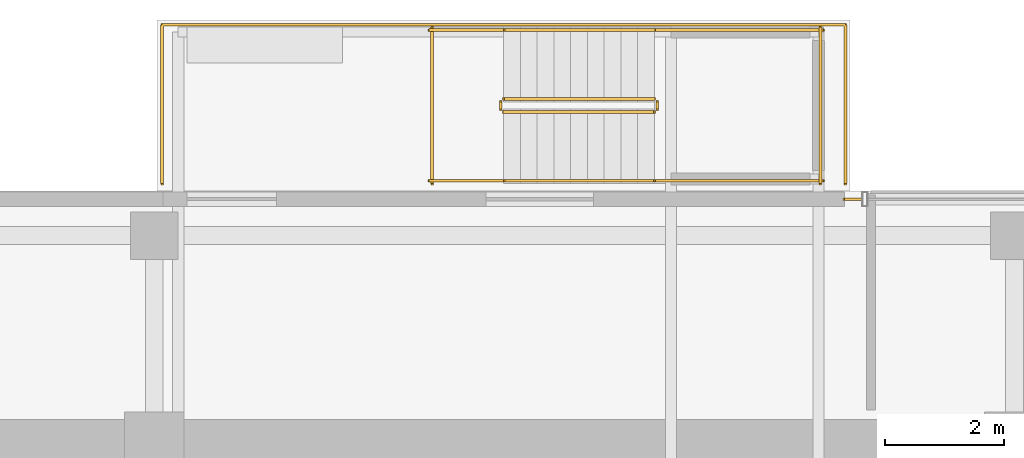
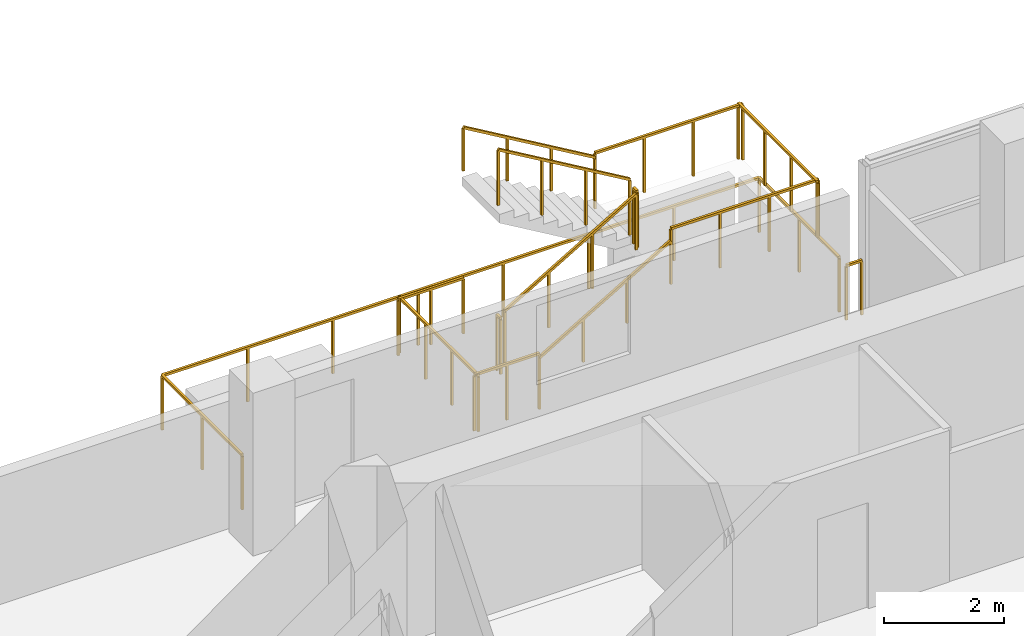
# One storey, part 26 of 27: 14 railings.
"""IFC4 building model written with IfcOpenShell, lengths in metres."""

from ifc_helpers import new_model, si_unit, direction, frame, origin, origin_2d, place, context, subcontext, project, spatial, rectangle, extrude, material, type_object, element, save


model = new_model("IFC4")

# Units and contexts
model_context = context("Model", 3, precision=1e-05, world=origin(), true_north=direction((0.0, 1.0)))
body_context = subcontext(model_context, "Body", "Model", "MODEL_VIEW")
ifc_project = project(units=[si_unit("LENGTHUNIT", "METRE"), si_unit("AREAUNIT", "SQUARE_METRE"), si_unit("VOLUMEUNIT", "CUBIC_METRE"), si_unit("PLANEANGLEUNIT", "RADIAN"), si_unit("MASSUNIT", "GRAM", prefix="KILO")], contexts=[model_context])

# Site, building, storey
site_placement = place(None, origin())
site = spatial("IfcSite", under=ifc_project, at=site_placement, CompositionType="ELEMENT")
building_placement = place(site_placement, origin())
building = spatial("IfcBuilding", under=site, at=building_placement, Name="Zarnakvel Exchange Tower", CompositionType="ELEMENT")
storey_placement = place(building_placement, frame((0.0, 0.0, 113.199951171875)))
storey = spatial("IfcBuildingStorey", under=building, at=storey_placement, Name="L31", CompositionType="ELEMENT", Elevation=113.199951171875)

# Railings
ifc_material_1 = material(Name="Architectural Bronze Anodised Aluminium", Category="aluminium")
railing_type_1 = type_object("IfcRailingType", Name="GR-02", PredefinedType="GUARDRAIL", material=ifc_material_1)
railing_1_placement = place(storey_placement, frame((-7.070068359375, 17.820068359375, 0.0)))
element("IfcRailing", 1, at=railing_1_placement, inside=storey, type_object=railing_type_1, Name="L31 Spiral Sky-Terrace Perimeter Guardrail", PredefinedType="GUARDRAIL", context=body_context, shape_type="SweptSolid", body=[
    extrude(rectangle(XDim=0.048095703125, YDim=0.048095703125, at=origin_2d()), frame((0.0, 0.0, 1.09619140625), z_axis=(0.0, 1.0, 0.0), x_axis=(-1.0, 0.0, 0.0)), (0.0, 0.0, 1.0), 2.659912109375),
    extrude(rectangle(XDim=0.048095703125, YDim=0.048095703125, at=origin_2d()), frame((0.0, 2.659912109375, 1.09619140625), z_axis=(1.0, 0.0, 0.0), x_axis=(0.0, 1.0, 0.0)), (0.0, 0.0, 1.0), 11.440185546875),
    extrude(rectangle(XDim=0.048095703125, YDim=0.048095703125, at=origin_2d()), frame((11.440185546875, 2.659912109375, 1.09619140625), z_axis=(0.0, -1.0, 0.0), x_axis=(1.0, 0.0, 0.0)), (0.0, 0.0, 1.0), 2.659912109375),
    extrude(rectangle(XDim=0.0419921875, YDim=0.0419921875, at=origin_2d()), origin(), (0.0, 0.0, 1.0), 1.072021484375),
    extrude(rectangle(XDim=0.0419921875, YDim=0.0419921875, at=origin_2d()), frame((0.0, 1.330078125, 0.0)), (0.0, 0.0, 1.0), 1.072021484375),
    extrude(rectangle(XDim=0.0419921875, YDim=0.0419921875, at=origin_2d()), frame((0.0, 2.659912109375, 0.0)), (0.0, 0.0, 1.0), 1.072021484375),
    extrude(rectangle(XDim=0.0419921875, YDim=0.0419921875, at=origin_2d()), frame((1.63427734375, 2.659912109375, 0.0)), (0.0, 0.0, 1.0), 1.072021484375),
    extrude(rectangle(XDim=0.0419921875, YDim=0.0419921875, at=origin_2d()), frame((3.2685546875, 2.659912109375, 0.0)), (0.0, 0.0, 1.0), 1.072021484375),
    extrude(rectangle(XDim=0.0419921875, YDim=0.0419921875, at=origin_2d()), frame((4.90283203125, 2.659912109375, 0.0)), (0.0, 0.0, 1.0), 1.072021484375),
    extrude(rectangle(XDim=0.0419921875, YDim=0.0419921875, at=origin_2d()), frame((6.537353515625, 2.659912109375, 0.0)), (0.0, 0.0, 1.0), 1.072021484375),
    extrude(rectangle(XDim=0.0419921875, YDim=0.0419921875, at=origin_2d()), frame((8.171630859375, 2.659912109375, 0.0)), (0.0, 0.0, 1.0), 1.072021484375),
    extrude(rectangle(XDim=0.0419921875, YDim=0.0419921875, at=origin_2d()), frame((9.805908203125, 2.659912109375, 0.0)), (0.0, 0.0, 1.0), 1.072021484375),
    extrude(rectangle(XDim=0.0419921875, YDim=0.0419921875, at=origin_2d()), frame((11.440185546875, 2.659912109375, 0.0)), (0.0, 0.0, 1.0), 1.072021484375),
    extrude(rectangle(XDim=0.0419921875, YDim=0.0419921875, at=origin_2d()), frame((11.440185546875, 1.330078125, 0.0)), (0.0, 0.0, 1.0), 1.072021484375),
    extrude(rectangle(XDim=0.0419921875, YDim=0.0419921875, at=origin_2d()), frame((11.440185546875, 0.0, 0.0)), (0.0, 0.0, 1.0), 1.072021484375),
])
railing_2_placement = place(storey_placement, frame((4.35009765625, 17.56005859375, 0.0)))
element("IfcRailing", 2, at=railing_2_placement, inside=storey, type_object=railing_type_1, Name="L31 Corner Spandrel Balustrade #6", PredefinedType="GUARDRAIL", context=body_context, shape_type="SweptSolid", body=[
    extrude(rectangle(XDim=0.048095703125, YDim=0.048095703125, at=origin_2d()), frame((0.0, 0.0, 1.09619140625), z_axis=(1.0, 0.0, 0.0), x_axis=(0.0, 1.0, 0.0)), (0.0, 0.0, 1.0), 0.2998046875),
    extrude(rectangle(XDim=0.0419921875, YDim=0.0419921875, at=origin_2d()), origin(), (0.0, 0.0, 1.0), 1.072021484375),
    extrude(rectangle(XDim=0.0419921875, YDim=0.0419921875, at=origin_2d()), frame((0.2998046875, 0.0, 0.0)), (0.0, 0.0, 1.0), 1.072021484375),
])
ifc_material_2 = material(Name="Brushed Stainless Steel", Category="steel")
railing_type_2 = type_object("IfcRailingType", Name="HR-01", PredefinedType="HANDRAIL", material=ifc_material_2)
railing_3_placement = place(storey_placement, frame((-1.35009765625, 17.8701171875, 0.1650390625)))
element("IfcRailing", 3, at=railing_3_placement, inside=storey, type_object=railing_type_2, Name="L31 ST-10 stair handrail 1", PredefinedType="HANDRAIL", context=body_context, shape_type="SweptSolid", body=[
    extrude(rectangle(XDim=0.048095703125, YDim=0.048095703125, at=origin_2d()), frame((0.0, 0.0, 0.8759765625), z_axis=(0.86152411907, 0.0, 0.507716645641), x_axis=(0.0, 1.0, 0.0)), (0.0, 0.0, 1.0), 2.925048828125),
    extrude(rectangle(XDim=0.0419921875, YDim=0.0419921875, at=origin_2d()), origin(), (0.0, 0.0, 1.0), 0.851806640625),
    extrude(rectangle(XDim=0.0419921875, YDim=0.0419921875, at=origin_2d()), frame((0.840087890625, 0.0, 0.4951171875)), (0.0, 0.0, 1.0), 0.851806640625),
    extrude(rectangle(XDim=0.0419921875, YDim=0.0419921875, at=origin_2d()), frame((1.679931640625, 0.0, 0.989990234375)), (0.0, 0.0, 1.0), 0.851806640625),
    extrude(rectangle(XDim=0.0419921875, YDim=0.0419921875, at=origin_2d()), frame((2.52001953125, 0.0, 1.485107421875)), (0.0, 0.0, 1.0), 0.851806640625),
])
railing_4_placement = place(storey_placement, frame((1.169921875, 20.389892578125, 1.81494140625)))
element("IfcRailing", 4, at=railing_4_placement, inside=storey, type_object=railing_type_2, Name="L31 ST-10 stair handrail 2", PredefinedType="HANDRAIL", context=body_context, shape_type="SweptSolid", body=[
    extrude(rectangle(XDim=0.048095703125, YDim=0.048095703125, at=origin_2d()), frame((0.0, 0.0, 0.8759765625), z_axis=(-0.86152411907, 0.0, 0.507716645641), x_axis=(0.0, -1.0, 0.0)), (0.0, 0.0, 1.0), 2.925048828125),
    extrude(rectangle(XDim=0.0419921875, YDim=0.0419921875, at=origin_2d()), origin(), (0.0, 0.0, 1.0), 0.851806640625),
    extrude(rectangle(XDim=0.0419921875, YDim=0.0419921875, at=origin_2d()), frame((-0.840087890625, 0.0, 0.4951171875)), (0.0, 0.0, 1.0), 0.851806640625),
    extrude(rectangle(XDim=0.0419921875, YDim=0.0419921875, at=origin_2d()), frame((-1.679931640625, 0.0, 0.989990234375)), (0.0, 0.0, 1.0), 0.851806640625),
    extrude(rectangle(XDim=0.0419921875, YDim=0.0419921875, at=origin_2d()), frame((-2.52001953125, 0.0, 1.485107421875)), (0.0, 0.0, 1.0), 0.851806640625),
])
railing_type_3 = type_object("IfcRailingType", Name="SG-01", PredefinedType="GUARDRAIL", material=ifc_material_1)
railing_5_placement = place(storey_placement, frame((-1.35009765625, 19.02001953125, 0.1650390625)))
element("IfcRailing", 5, at=railing_5_placement, inside=storey, type_object=railing_type_3, Name="L31 ST-10 stair guard 1", PredefinedType="GUARDRAIL", context=body_context, shape_type="SweptSolid", body=[
    extrude(rectangle(XDim=0.048095703125, YDim=0.048095703125, at=origin_2d()), frame((0.0, 0.0, 1.1259765625), z_axis=(0.86152411907, 0.0, 0.507716645641), x_axis=(0.0, 1.0, 0.0)), (0.0, 0.0, 1.0), 2.925048828125),
    extrude(rectangle(XDim=0.0419921875, YDim=0.0419921875, at=origin_2d()), origin(), (0.0, 0.0, 1.0), 1.101806640625),
    extrude(rectangle(XDim=0.0419921875, YDim=0.0419921875, at=origin_2d()), frame((0.840087890625, 0.0, 0.4951171875)), (0.0, 0.0, 1.0), 1.101806640625),
    extrude(rectangle(XDim=0.0419921875, YDim=0.0419921875, at=origin_2d()), frame((1.679931640625, 0.0, 0.989990234375)), (0.0, 0.0, 1.0), 1.101806640625),
    extrude(rectangle(XDim=0.0419921875, YDim=0.0419921875, at=origin_2d()), frame((2.52001953125, 0.0, 1.485107421875)), (0.0, 0.0, 1.0), 1.101806640625),
])
railing_6_placement = place(storey_placement, frame((1.219970703125, 19.070068359375, 1.650146484375)))
element("IfcRailing", 6, at=railing_6_placement, inside=storey, type_object=railing_type_3, Name="L31 ST-10 stair guard 2", PredefinedType="GUARDRAIL", context=body_context, shape_type="SweptSolid", body=[
    extrude(rectangle(XDim=0.048095703125, YDim=0.048095703125, at=origin_2d()), frame((0.0, 0.0, 1.1259765625), z_axis=(0.0, 1.0, 0.0), x_axis=(-1.0, 0.0, 0.0)), (0.0, 0.0, 1.0), 0.119873046875),
    extrude(rectangle(XDim=0.0419921875, YDim=0.0419921875, at=origin_2d()), origin(), (0.0, 0.0, 1.0), 1.101806640625),
    extrude(rectangle(XDim=0.0419921875, YDim=0.0419921875, at=origin_2d()), frame((0.0, 0.119873046875, 0.0)), (0.0, 0.0, 1.0), 1.101806640625),
])
for number, where, name in (
    (7, (1.169921875, 17.8701171875, 1.650146484375), "L31 ST-10 stair guard 3"),
    (8, (1.169921875, 20.389892578125, 1.650146484375), "L31 ST-10 stair guard 4"),
):
    element("IfcRailing", number, at=place(storey_placement, frame(where)), inside=storey, type_object=railing_type_3, Name=name, PredefinedType="GUARDRAIL", context=body_context, shape_type="SweptSolid", body=[
        extrude(rectangle(XDim=0.048095703125, YDim=0.048095703125, at=origin_2d()), frame((0.0, 0.0, 1.1259765625), z_axis=(1.0, 0.0, 0.0), x_axis=(0.0, 1.0, 0.0)), (0.0, 0.0, 1.0), 2.830078125),
        extrude(rectangle(XDim=0.0419921875, YDim=0.0419921875, at=origin_2d()), origin(), (0.0, 0.0, 1.0), 1.101806640625),
        extrude(rectangle(XDim=0.0419921875, YDim=0.0419921875, at=origin_2d()), frame((0.943359375, 0.0, 0.0)), (0.0, 0.0, 1.0), 1.101806640625),
        extrude(rectangle(XDim=0.0419921875, YDim=0.0419921875, at=origin_2d()), frame((1.88671875, 0.0, 0.0)), (0.0, 0.0, 1.0), 1.101806640625),
        extrude(rectangle(XDim=0.0419921875, YDim=0.0419921875, at=origin_2d()), frame((2.830078125, 0.0, 0.0)), (0.0, 0.0, 1.0), 1.101806640625),
    ])
railing_7_placement = place(storey_placement, frame((3.949951171875, 17.820068359375, 1.650146484375)))
element("IfcRailing", 9, at=railing_7_placement, inside=storey, type_object=railing_type_3, Name="L31 ST-10 stair guard 5", PredefinedType="GUARDRAIL", context=body_context, shape_type="SweptSolid", body=[
    extrude(rectangle(XDim=0.048095703125, YDim=0.048095703125, at=origin_2d()), frame((0.0, 0.0, 1.1259765625), z_axis=(0.0, 1.0, 0.0), x_axis=(-1.0, 0.0, 0.0)), (0.0, 0.0, 1.0), 2.619873046875),
    extrude(rectangle(XDim=0.0419921875, YDim=0.0419921875, at=origin_2d()), origin(), (0.0, 0.0, 1.0), 1.101806640625),
    extrude(rectangle(XDim=0.0419921875, YDim=0.0419921875, at=origin_2d()), frame((0.0, 0.873291015625, 0.0)), (0.0, 0.0, 1.0), 1.101806640625),
    extrude(rectangle(XDim=0.0419921875, YDim=0.0419921875, at=origin_2d()), frame((0.0, 1.74658203125, 0.0)), (0.0, 0.0, 1.0), 1.101806640625),
    extrude(rectangle(XDim=0.0419921875, YDim=0.0419921875, at=origin_2d()), frame((0.0, 2.619873046875, 0.0)), (0.0, 0.0, 1.0), 1.101806640625),
])
railing_8_placement = place(storey_placement, frame((1.169921875, 19.239990234375, 1.81494140625)))
element("IfcRailing", 10, at=railing_8_placement, inside=storey, type_object=railing_type_3, Name="L31 ST-10 stair guard 6", PredefinedType="GUARDRAIL", context=body_context, shape_type="SweptSolid", body=[
    extrude(rectangle(XDim=0.048095703125, YDim=0.048095703125, at=origin_2d()), frame((0.0, 0.0, 1.1259765625), z_axis=(-0.86152411907, 0.0, 0.507716645641), x_axis=(0.0, -1.0, 0.0)), (0.0, 0.0, 1.0), 2.925048828125),
    extrude(rectangle(XDim=0.0419921875, YDim=0.0419921875, at=origin_2d()), origin(), (0.0, 0.0, 1.0), 1.101806640625),
    extrude(rectangle(XDim=0.0419921875, YDim=0.0419921875, at=origin_2d()), frame((-0.840087890625, 0.0, 0.4951171875)), (0.0, 0.0, 1.0), 1.101806640625),
    extrude(rectangle(XDim=0.0419921875, YDim=0.0419921875, at=origin_2d()), frame((-1.679931640625, 0.0, 0.989990234375)), (0.0, 0.0, 1.0), 1.101806640625),
    extrude(rectangle(XDim=0.0419921875, YDim=0.0419921875, at=origin_2d()), frame((-2.52001953125, 0.0, 1.485107421875)), (0.0, 0.0, 1.0), 1.101806640625),
])
railing_9_placement = place(storey_placement, frame((-1.39990234375, 19.070068359375, 0.0)))
element("IfcRailing", 11, at=railing_9_placement, inside=storey, type_object=railing_type_3, Name="L31 ST-10 stair guard 7", PredefinedType="GUARDRAIL", context=body_context, shape_type="SweptSolid", body=[
    extrude(rectangle(XDim=0.048095703125, YDim=0.048095703125, at=origin_2d()), frame((0.0, 0.0, 1.1259765625), z_axis=(0.0, 1.0, 0.0), x_axis=(-1.0, 0.0, 0.0)), (0.0, 0.0, 1.0), 0.119873046875),
    extrude(rectangle(XDim=0.0419921875, YDim=0.0419921875, at=origin_2d()), origin(), (0.0, 0.0, 1.0), 1.101806640625),
    extrude(rectangle(XDim=0.0419921875, YDim=0.0419921875, at=origin_2d()), frame((0.0, 0.119873046875, 0.0)), (0.0, 0.0, 1.0), 1.101806640625),
])
for number, where, name in (
    (12, (-2.60009765625, 17.8701171875, 0.0), "L31 ST-10 stair guard 8"),
    (13, (-2.60009765625, 20.389892578125, 0.0), "L31 ST-10 stair guard 9"),
):
    element("IfcRailing", number, at=place(storey_placement, frame(where)), inside=storey, type_object=railing_type_3, Name=name, PredefinedType="GUARDRAIL", context=body_context, shape_type="SweptSolid", body=[
        extrude(rectangle(XDim=0.048095703125, YDim=0.048095703125, at=origin_2d()), frame((0.0, 0.0, 1.1259765625), z_axis=(1.0, 0.0, 0.0), x_axis=(0.0, 1.0, 0.0)), (0.0, 0.0, 1.0), 1.25),
        extrude(rectangle(XDim=0.0419921875, YDim=0.0419921875, at=origin_2d()), origin(), (0.0, 0.0, 1.0), 1.101806640625),
        extrude(rectangle(XDim=0.0419921875, YDim=0.0419921875, at=origin_2d()), frame((0.625, 0.0, 0.0)), (0.0, 0.0, 1.0), 1.101806640625),
        extrude(rectangle(XDim=0.0419921875, YDim=0.0419921875, at=origin_2d()), frame((1.25, 0.0, 0.0)), (0.0, 0.0, 1.0), 1.101806640625),
    ])
railing_10_placement = place(storey_placement, frame((-2.550048828125, 17.820068359375, 0.0)))
element("IfcRailing", 14, at=railing_10_placement, inside=storey, type_object=railing_type_3, Name="L31 ST-10 stair guard 10", PredefinedType="GUARDRAIL", context=body_context, shape_type="SweptSolid", body=[
    extrude(rectangle(XDim=0.048095703125, YDim=0.048095703125, at=origin_2d()), frame((0.0, 0.0, 1.1259765625), z_axis=(0.0, 1.0, 0.0), x_axis=(-1.0, 0.0, 0.0)), (0.0, 0.0, 1.0), 2.619873046875),
    extrude(rectangle(XDim=0.0419921875, YDim=0.0419921875, at=origin_2d()), origin(), (0.0, 0.0, 1.0), 1.101806640625),
    extrude(rectangle(XDim=0.0419921875, YDim=0.0419921875, at=origin_2d()), frame((0.0, 0.873291015625, 0.0)), (0.0, 0.0, 1.0), 1.101806640625),
    extrude(rectangle(XDim=0.0419921875, YDim=0.0419921875, at=origin_2d()), frame((0.0, 1.74658203125, 0.0)), (0.0, 0.0, 1.0), 1.101806640625),
    extrude(rectangle(XDim=0.0419921875, YDim=0.0419921875, at=origin_2d()), frame((0.0, 2.619873046875, 0.0)), (0.0, 0.0, 1.0), 1.101806640625),
])

save(model, "model.ifc")
